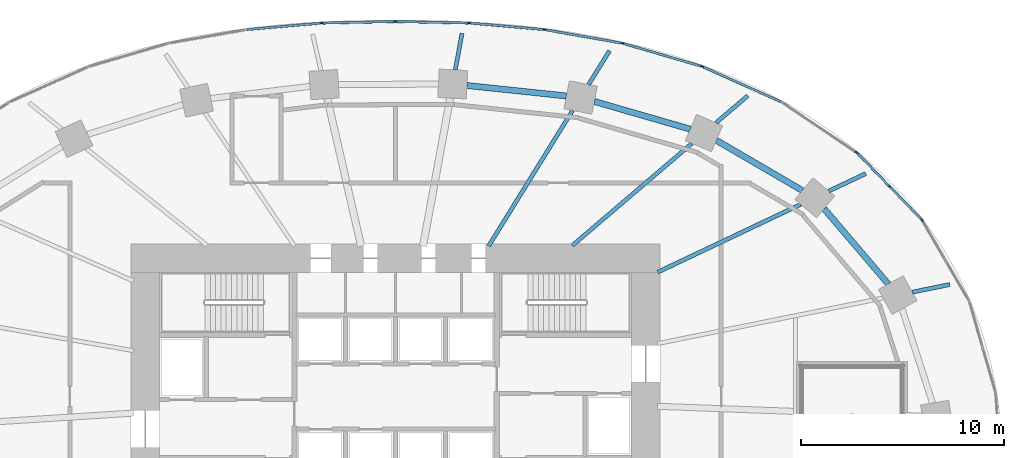
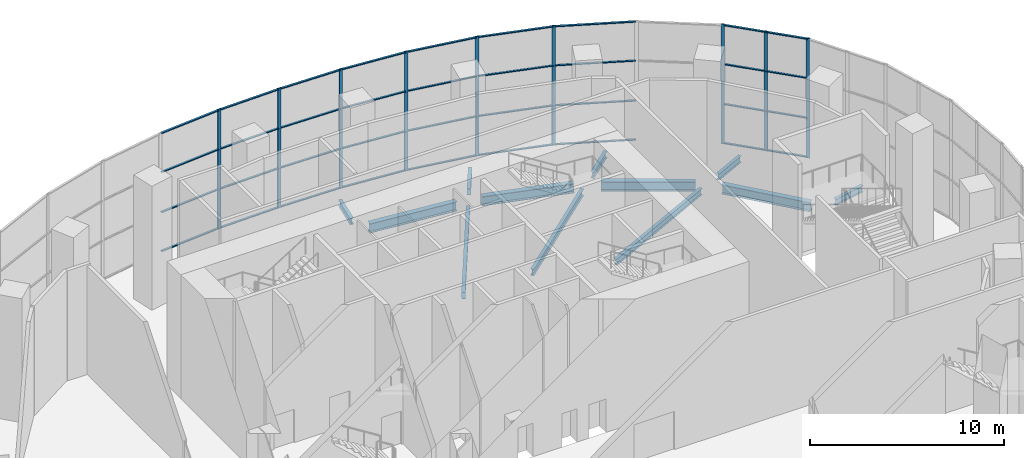
# One storey, part 8 of 22: 45 members, 12 beams, 9 elements without a shape of their own.
"""IFC4 building model written with IfcOpenShell, lengths in metres."""

from ifc_helpers import new_model, si_unit, direction, frame, origin, origin_2d, place, context, subcontext, project, spatial, rectangle, i_section, extrude, material, material_profile, profile_set, type_object, element, aggregate, save


model = new_model("IFC4")

# Units and contexts
model_context = context("Model", 3, precision=1e-05, world=origin(), true_north=direction((0.0, 1.0)))
body_context = subcontext(model_context, "Body", "Model", "MODEL_VIEW")
ifc_project = project(units=[si_unit("LENGTHUNIT", "METRE"), si_unit("AREAUNIT", "SQUARE_METRE"), si_unit("VOLUMEUNIT", "CUBIC_METRE"), si_unit("PLANEANGLEUNIT", "RADIAN"), si_unit("MASSUNIT", "GRAM", prefix="KILO")], contexts=[model_context])

# Site, building, storey
site_placement = place(None, origin())
site = spatial("IfcSite", under=ifc_project, at=site_placement, CompositionType="ELEMENT")
building_placement = place(site_placement, origin())
building = spatial("IfcBuilding", under=site, at=building_placement, Name="Rubra Terraces Tower", CompositionType="ELEMENT")
storey_placement = place(building_placement, frame((0.0, 0.0, 15.0)))
storey = spatial("IfcBuildingStorey", under=building, at=storey_placement, Name="L02", CompositionType="ELEMENT", Elevation=15.0)

# Beams
ifc_material_1 = material(Name="Steel Q355B", Category="steel")
ifc_material_profile_1 = material_profile(ifc_material_1, i_section(OverallWidth=0.199951171875, OverallDepth=0.39990234375, WebThickness=0.008056640625, FlangeThickness=0.012939453125, at=origin_2d()), Name="HN 400x200x8x13")
ifc_profile_set_1 = profile_set([ifc_material_profile_1], Name="Steel Q355B")
beam_type_1 = type_object("IfcBeamType", Name="CANTILEVER BEAM HN 400x200x8x13", PredefinedType="BEAM", material=ifc_profile_set_1)
beam_1_placement = place(storey_placement, frame((25.39599609375, 9.6279296875, -0.449951171875), z_axis=(0.980183746275, 0.198090442822, 0.0), x_axis=(-0.198090442822, 0.980183746275, 0.0)))
element("IfcBeam", 1, at=beam_1_placement, inside=storey, type_object=beam_type_1, Name="beam-L02-cant-02", PredefinedType="BEAM", context=body_context, shape_type="SweptSolid", body=[
    extrude(i_section(OverallWidth=0.199951171875, OverallDepth=0.39990234375, WebThickness=0.008056640625, FlangeThickness=0.012939453125, at=origin_2d()), origin(), (0.0, 0.0, 1.0), 1.878173828125),
])
beam_2_placement = place(storey_placement, frame((21.2958984375, 14.595947265625, -0.449951171875), z_axis=(0.903591368952, 0.428395422426, 0.0), x_axis=(-0.428395422426, 0.903591368952, 0.0)))
element("IfcBeam", 2, at=beam_2_placement, inside=storey, type_object=beam_type_1, Name="beam-L02-cant-03", PredefinedType="BEAM", context=body_context, shape_type="SweptSolid", body=[
    extrude(i_section(OverallWidth=0.199951171875, OverallDepth=0.39990234375, WebThickness=0.008056640625, FlangeThickness=0.012939453125, at=origin_2d()), origin(), (0.0, 0.0, 1.0), 2.003173828125),
])
beam_3_placement = place(storey_placement, frame((15.7509765625, 17.947998046875, -0.449951171875), z_axis=(0.760464221836, 0.649379832847, 0.0), x_axis=(-0.649379832847, 0.760464221836, 0.0)))
element("IfcBeam", 3, at=beam_3_placement, inside=storey, type_object=beam_type_1, Name="beam-L02-cant-04", PredefinedType="BEAM", context=body_context, shape_type="SweptSolid", body=[
    extrude(i_section(OverallWidth=0.199951171875, OverallDepth=0.39990234375, WebThickness=0.008056640625, FlangeThickness=0.012939453125, at=origin_2d()), origin(), (0.0, 0.0, 1.0), 2.052734375),
])
beam_4_placement = place(storey_placement, frame((9.488037109375, 19.827880859375, -0.449951171875), z_axis=(0.526264261804, 0.850321072741, 0.0), x_axis=(-0.850321072741, 0.526264261804, 0.0)))
element("IfcBeam", 4, at=beam_4_placement, inside=storey, type_object=beam_type_1, Name="beam-L02-cant-05", PredefinedType="BEAM", context=body_context, shape_type="SweptSolid", body=[
    extrude(i_section(OverallWidth=0.199951171875, OverallDepth=0.39990234375, WebThickness=0.008056640625, FlangeThickness=0.012939453125, at=origin_2d()), origin(), (0.0, 0.0, 1.0), 1.95361328125),
])
beam_5_placement = place(storey_placement, frame((2.93798828125, 20.549072265625, -0.449951171875), z_axis=(0.180016854408, 0.983663525871, 0.0), x_axis=(-0.983663525871, 0.180016854408, 0.0)))
element("IfcBeam", 5, at=beam_5_placement, inside=storey, type_object=beam_type_1, Name="beam-L02-cant-06", PredefinedType="BEAM", context=body_context, shape_type="SweptSolid", body=[
    extrude(i_section(OverallWidth=0.199951171875, OverallDepth=0.39990234375, WebThickness=0.008056640625, FlangeThickness=0.012939453125, at=origin_2d()), origin(), (0.0, 0.0, 1.0), 1.82275390625),
])
ifc_material_profile_2 = material_profile(ifc_material_1, i_section(OverallWidth=0.199951171875, OverallDepth=0.39990234375, WebThickness=0.008056640625, FlangeThickness=0.012939453125, at=origin_2d()), Name="HN 400x200x8x13")
ifc_profile_set_2 = profile_set([ifc_material_profile_2], Name="Steel Q355B")
beam_type_2 = type_object("IfcBeamType", Name="FLOOR BEAM HN 400x200x8x13", PredefinedType="BEAM", material=ifc_profile_set_2)
beam_6_placement = place(storey_placement, frame((19.904052734375, 13.93603515625, -0.449951171875), z_axis=(-0.903612237836, -0.428351402045, 0.0), x_axis=(0.428351402045, -0.903612237836, 0.0)))
element("IfcBeam", 6, at=beam_6_placement, inside=storey, type_object=beam_type_2, Name="beam-L02-floor-03", PredefinedType="BEAM", context=body_context, shape_type="SweptSolid", body=[
    extrude(i_section(OverallWidth=0.199951171875, OverallDepth=0.39990234375, WebThickness=0.008056640625, FlangeThickness=0.012939453125, at=origin_2d()), origin(), (0.0, 0.0, 1.0), 7.760009765625),
])
beam_7_placement = place(storey_placement, frame((14.56298828125, 16.93408203125, -0.449951171875), z_axis=(-0.760494401061, -0.649344489431, 0.0), x_axis=(0.649344489431, -0.760494401061, 0.0)))
element("IfcBeam", 7, at=beam_7_placement, inside=storey, type_object=beam_type_2, Name="beam-L02-floor-04", PredefinedType="BEAM", context=body_context, shape_type="SweptSolid", body=[
    extrude(i_section(OverallWidth=0.199951171875, OverallDepth=0.39990234375, WebThickness=0.008056640625, FlangeThickness=0.012939453125, at=origin_2d()), origin(), (0.0, 0.0, 1.0), 7.718505859375),
])
beam_8_placement = place(storey_placement, frame((8.699951171875, 18.555908203125, -0.449951171875), z_axis=(-0.526285914839, -0.850307671283, 0.0), x_axis=(0.850307671283, -0.526285914839, 0.0)))
element("IfcBeam", 8, at=beam_8_placement, inside=storey, type_object=beam_type_2, Name="beam-L02-floor-05", PredefinedType="BEAM", context=body_context, shape_type="SweptSolid", body=[
    extrude(i_section(OverallWidth=0.199951171875, OverallDepth=0.39990234375, WebThickness=0.008056640625, FlangeThickness=0.012939453125, at=origin_2d()), origin(), (0.0, 0.0, 1.0), 7.830078125),
])

# Curtain wall, members
ifc_material_2 = material(Name="Aluminium and glass", Category="aluminium")
curtain_wall_type = type_object("IfcCurtainWallType", Name="Curtain wall Podium glazing", PredefinedType="NOTDEFINED", material=ifc_material_2)
curtain_wall_1_placement = place(storey_placement, origin())
curtain_wall_1 = element("IfcCurtainWall", 9, at=curtain_wall_1_placement, inside=storey, type_object=curtain_wall_type, Name="L02 glazing bay 4", PredefinedType="NOTDEFINED")
ifc_material_3 = material(Name="Aluminium, anodised dark grey", Category="aluminium")
ifc_material_profile_3 = material_profile(ifc_material_3, rectangle(XDim=0.06005859375, YDim=0.199951171875, at=origin_2d()), Name="AL 60x200")
ifc_profile_set_3 = profile_set([ifc_material_profile_3], Name="Aluminium, anodised dark grey")
member_type_1 = type_object("IfcMemberType", Name="Podium glazing mullion 60 x 200", PredefinedType="MULLION", material=ifc_profile_set_3)
member_1_placement = place(storey_placement, frame((25.855224609375, 13.181396484375, 0.0), z_axis=(0.0, 0.0, 1.0), x_axis=(-0.71982488517, -0.69415569917, 0.0)))
member_1 = element("IfcMember", 10, at=member_1_placement, type_object=member_type_1, Name="CW1 mullion 1", PredefinedType="MULLION", context=body_context, shape_type="SweptSolid", body=[
    extrude(rectangle(XDim=0.06005859375, YDim=0.199951171875, at=origin_2d()), origin(), (0.0, 0.0, 1.0), 7.550048828125),
])
member_2_placement = place(storey_placement, frame((24.280517578125, 14.814453125, 0.0), z_axis=(0.0, 0.0, 1.0), x_axis=(-0.71982488517, -0.69415569917, 0.0)))
member_2 = element("IfcMember", 11, at=member_2_placement, type_object=member_type_1, Name="CW1 mullion 2", PredefinedType="MULLION", context=body_context, shape_type="SweptSolid", body=[
    extrude(rectangle(XDim=0.06005859375, YDim=0.199951171875, at=origin_2d()), origin(), (0.0, 0.0, 1.0), 7.550048828125),
])

# Curtain wall, member
curtain_wall_2_placement = place(storey_placement, origin())
curtain_wall_2 = element("IfcCurtainWall", 12, at=curtain_wall_2_placement, inside=storey, type_object=curtain_wall_type, Name="L02 glazing bay 5", PredefinedType="NOTDEFINED")
member_3_placement = place(storey_placement, frame((22.672119140625, 16.4755859375, 0.0), z_axis=(0.0, 0.0, 1.0), x_axis=(-0.55927727939, -0.828980654031, 0.0)))
member_3 = element("IfcMember", 13, at=member_3_placement, type_object=member_type_1, Name="CW1 mullion 1", PredefinedType="MULLION", context=body_context, shape_type="SweptSolid", body=[
    extrude(rectangle(XDim=0.06005859375, YDim=0.199951171875, at=origin_2d()), origin(), (0.0, 0.0, 1.0), 7.550048828125),
])
aggregate(curtain_wall_2, [member_3])

curtain_wall_3_placement = place(storey_placement, origin())
curtain_wall_3 = element("IfcCurtainWall", 14, at=curtain_wall_3_placement, inside=storey, type_object=curtain_wall_type, Name="L02 glazing bay 7", PredefinedType="NOTDEFINED")
member_4_placement = place(storey_placement, frame((15.05126953125, 20.721435546875, 0.0), z_axis=(0.0, 0.0, 1.0), x_axis=(-0.279399200229, -0.96017502931, 0.0)))
member_4 = element("IfcMember", 15, at=member_4_placement, type_object=member_type_1, Name="CW1 mullion 1", PredefinedType="MULLION", context=body_context, shape_type="SweptSolid", body=[
    extrude(rectangle(XDim=0.06005859375, YDim=0.199951171875, at=origin_2d()), origin(), (0.0, 0.0, 1.0), 7.550048828125),
])

curtain_wall_4_placement = place(storey_placement, origin())
curtain_wall_4 = element("IfcCurtainWall", 16, at=curtain_wall_4_placement, inside=storey, type_object=curtain_wall_type, Name="L02 glazing bay 8", PredefinedType="NOTDEFINED")
member_5_placement = place(storey_placement, frame((11.13037109375, 21.859375, 0.0), z_axis=(0.0, 0.0, 1.0), x_axis=(-0.172816985997, -0.984953952909, 0.0)))
member_5 = element("IfcMember", 17, at=member_5_placement, type_object=member_type_1, Name="CW1 mullion 1", PredefinedType="MULLION", context=body_context, shape_type="SweptSolid", body=[
    extrude(rectangle(XDim=0.06005859375, YDim=0.199951171875, at=origin_2d()), origin(), (0.0, 0.0, 1.0), 7.550048828125),
])

curtain_wall_5_placement = place(storey_placement, origin())
curtain_wall_5 = element("IfcCurtainWall", 18, at=curtain_wall_5_placement, inside=storey, type_object=curtain_wall_type, Name="L02 glazing bay 9", PredefinedType="NOTDEFINED")
member_6_placement = place(storey_placement, frame((7.306640625, 22.52783203125, 0.0), z_axis=(0.0, 0.0, 1.0), x_axis=(-0.08639804595, -0.996260697637, 0.0)))
member_6 = element("IfcMember", 19, at=member_6_placement, type_object=member_type_1, Name="CW1 mullion 1", PredefinedType="MULLION", context=body_context, shape_type="SweptSolid", body=[
    extrude(rectangle(XDim=0.06005859375, YDim=0.199951171875, at=origin_2d()), origin(), (0.0, 0.0, 1.0), 7.550048828125),
])

curtain_wall_6_placement = place(storey_placement, origin())
curtain_wall_6 = element("IfcCurtainWall", 20, at=curtain_wall_6_placement, inside=storey, type_object=curtain_wall_type, Name="L02 glazing bay 10", PredefinedType="NOTDEFINED")
member_7_placement = place(storey_placement, frame((3.598388671875, 22.84765625, 0.0), z_axis=(0.0, 0.0, 1.0), x_axis=(-0.021482644428, -0.999769221365, 0.0)))
member_7 = element("IfcMember", 21, at=member_7_placement, type_object=member_type_1, Name="CW1 mullion 1", PredefinedType="MULLION", context=body_context, shape_type="SweptSolid", body=[
    extrude(rectangle(XDim=0.06005859375, YDim=0.199951171875, at=origin_2d()), origin(), (0.0, 0.0, 1.0), 7.550048828125),
])

curtain_wall_7_placement = place(storey_placement, origin())
curtain_wall_7 = element("IfcCurtainWall", 22, at=curtain_wall_7_placement, inside=storey, type_object=curtain_wall_type, Name="L02 glazing bay 11", PredefinedType="NOTDEFINED")
member_8_placement = place(storey_placement, frame((-0.0283203125, 22.92431640625, 0.0), z_axis=(0.0, 0.0, 1.0), x_axis=(0.021482644428, -0.999769221365, 0.0)))
member_8 = element("IfcMember", 23, at=member_8_placement, type_object=member_type_1, Name="CW1 mullion 1", PredefinedType="MULLION", context=body_context, shape_type="SweptSolid", body=[
    extrude(rectangle(XDim=0.06005859375, YDim=0.199951171875, at=origin_2d()), origin(), (0.0, 0.0, 1.0), 7.550048828125),
])

curtain_wall_8_placement = place(storey_placement, origin())
curtain_wall_8 = element("IfcCurtainWall", 24, at=curtain_wall_8_placement, inside=storey, type_object=curtain_wall_type, Name="L02 glazing bay 12", PredefinedType="NOTDEFINED")
member_9_placement = place(storey_placement, frame((-3.6533203125, 22.8447265625, 0.0), z_axis=(0.0, 0.0, 1.0), x_axis=(0.08639804595, -0.996260697637, 0.0)))
member_9 = element("IfcMember", 25, at=member_9_placement, type_object=member_type_1, Name="CW1 mullion 1", PredefinedType="MULLION", context=body_context, shape_type="SweptSolid", body=[
    extrude(rectangle(XDim=0.06005859375, YDim=0.199951171875, at=origin_2d()), origin(), (0.0, 0.0, 1.0), 7.550048828125),
])

# Member
ifc_material_profile_4 = material_profile(ifc_material_3, rectangle(XDim=0.1201171875, YDim=0.06005859375, at=origin_2d()), Name="AL 120x60")
ifc_profile_set_4 = profile_set([ifc_material_profile_4], Name="Aluminium, anodised dark grey")
member_type_2 = type_object("IfcMemberType", Name="Podium glazing transom 120 x 60", PredefinedType="USERDEFINED", material=ifc_profile_set_4)
member_10_placement = place(storey_placement, frame((25.83447265625, 13.203125, 0.06005859375), z_axis=(-0.694223533913, 0.719759463266, 0.0), x_axis=(-0.719759463266, -0.694223533913, 0.0)))
member_10 = element("IfcMember", 26, at=member_10_placement, type_object=member_type_2, Name="CW1 transom 1.1", ObjectType="TRANSOM", PredefinedType="USERDEFINED", context=body_context, shape_type="SweptSolid", body=[
    extrude(rectangle(XDim=0.1201171875, YDim=0.06005859375, at=origin_2d()), origin(), (0.0, 0.0, 1.0), 2.20849609375),
])

member_11_placement = place(storey_placement, frame((25.83447265625, 13.203125, 2.5166015625), z_axis=(-0.694223533913, 0.719759463266, 0.0), x_axis=(-0.719759463266, -0.694223533913, 0.0)))
member_11 = element("IfcMember", 27, at=member_11_placement, type_object=member_type_2, Name="CW1 transom 1.2", ObjectType="TRANSOM", PredefinedType="USERDEFINED", context=body_context, shape_type="SweptSolid", body=[
    extrude(rectangle(XDim=0.1201171875, YDim=0.06005859375, at=origin_2d()), origin(), (0.0, 0.0, 1.0), 2.20849609375),
])

member_12_placement = place(storey_placement, frame((25.83447265625, 13.203125, 5.033203125), z_axis=(-0.694223533913, 0.719759463266, 0.0), x_axis=(-0.719759463266, -0.694223533913, 0.0)))
member_12 = element("IfcMember", 28, at=member_12_placement, type_object=member_type_2, Name="CW1 transom 1.3", ObjectType="TRANSOM", PredefinedType="USERDEFINED", context=body_context, shape_type="SweptSolid", body=[
    extrude(rectangle(XDim=0.1201171875, YDim=0.06005859375, at=origin_2d()), origin(), (0.0, 0.0, 1.0), 2.20849609375),
])

member_13_placement = place(storey_placement, frame((25.83447265625, 13.203125, 7.489990234375), z_axis=(-0.694223533913, 0.719759463266, 0.0), x_axis=(-0.719759463266, -0.694223533913, 0.0)))
member_13 = element("IfcMember", 29, at=member_13_placement, type_object=member_type_2, Name="CW1 transom 1.4", ObjectType="TRANSOM", PredefinedType="USERDEFINED", context=body_context, shape_type="SweptSolid", body=[
    extrude(rectangle(XDim=0.1201171875, YDim=0.06005859375, at=origin_2d()), origin(), (0.0, 0.0, 1.0), 2.20849609375),
])

member_14_placement = place(storey_placement, frame((24.259765625, 14.8359375, 0.06005859375), z_axis=(-0.694168299732, 0.719812733735, 0.0), x_axis=(-0.719812733735, -0.694168299732, 0.0)))
member_14 = element("IfcMember", 30, at=member_14_placement, type_object=member_type_2, Name="CW1 transom 2.1", ObjectType="TRANSOM", PredefinedType="USERDEFINED", context=body_context, shape_type="SweptSolid", body=[
    extrude(rectangle(XDim=0.1201171875, YDim=0.06005859375, at=origin_2d()), origin(), (0.0, 0.0, 1.0), 2.208740234375),
])

member_15_placement = place(storey_placement, frame((24.259765625, 14.8359375, 2.5166015625), z_axis=(-0.694168299732, 0.719812733735, 0.0), x_axis=(-0.719812733735, -0.694168299732, 0.0)))
member_15 = element("IfcMember", 31, at=member_15_placement, type_object=member_type_2, Name="CW1 transom 2.2", ObjectType="TRANSOM", PredefinedType="USERDEFINED", context=body_context, shape_type="SweptSolid", body=[
    extrude(rectangle(XDim=0.1201171875, YDim=0.06005859375, at=origin_2d()), origin(), (0.0, 0.0, 1.0), 2.208740234375),
])

member_16_placement = place(storey_placement, frame((24.259765625, 14.8359375, 5.033203125), z_axis=(-0.694168299732, 0.719812733735, 0.0), x_axis=(-0.719812733735, -0.694168299732, 0.0)))
member_16 = element("IfcMember", 32, at=member_16_placement, type_object=member_type_2, Name="CW1 transom 2.3", ObjectType="TRANSOM", PredefinedType="USERDEFINED", context=body_context, shape_type="SweptSolid", body=[
    extrude(rectangle(XDim=0.1201171875, YDim=0.06005859375, at=origin_2d()), origin(), (0.0, 0.0, 1.0), 2.208740234375),
])

member_17_placement = place(storey_placement, frame((24.259765625, 14.8359375, 7.489990234375), z_axis=(-0.694168299732, 0.719812733735, 0.0), x_axis=(-0.719812733735, -0.694168299732, 0.0)))
member_17 = element("IfcMember", 33, at=member_17_placement, type_object=member_type_2, Name="CW1 transom 2.4", ObjectType="TRANSOM", PredefinedType="USERDEFINED", context=body_context, shape_type="SweptSolid", body=[
    extrude(rectangle(XDim=0.1201171875, YDim=0.06005859375, at=origin_2d()), origin(), (0.0, 0.0, 1.0), 2.208740234375),
])

aggregate(curtain_wall_1, [member_1, member_2, member_10, member_11, member_12, member_13, member_14, member_15, member_16, member_17])

# Curtain wall, members
curtain_wall_9_placement = place(storey_placement, origin())
curtain_wall_9 = element("IfcCurtainWall", 34, at=curtain_wall_9_placement, inside=storey, type_object=curtain_wall_type, Name="L02 glazing bay 6", PredefinedType="NOTDEFINED")
member_18_placement = place(storey_placement, frame((18.9404296875, 18.982177734375, 0.06005859375), z_axis=(-0.912545396627, 0.408975426029, 0.0), x_axis=(-0.408975426029, -0.912545396627, 0.0)))
member_18 = element("IfcMember", 35, at=member_18_placement, type_object=member_type_2, Name="CW1 transom 1.1", ObjectType="TRANSOM", PredefinedType="USERDEFINED", context=body_context, shape_type="SweptSolid", body=[
    extrude(rectangle(XDim=0.1201171875, YDim=0.06005859375, at=origin_2d()), origin(), (0.0, 0.0, 1.0), 4.18115234375),
])
member_19_placement = place(storey_placement, frame((18.9404296875, 18.982177734375, 2.5166015625), z_axis=(-0.912545396627, 0.408975426029, 0.0), x_axis=(-0.408975426029, -0.912545396627, 0.0)))
member_19 = element("IfcMember", 36, at=member_19_placement, type_object=member_type_2, Name="CW1 transom 1.2", ObjectType="TRANSOM", PredefinedType="USERDEFINED", context=body_context, shape_type="SweptSolid", body=[
    extrude(rectangle(XDim=0.1201171875, YDim=0.06005859375, at=origin_2d()), origin(), (0.0, 0.0, 1.0), 4.18115234375),
])
member_20_placement = place(storey_placement, frame((18.9404296875, 18.982177734375, 5.033203125), z_axis=(-0.912545396627, 0.408975426029, 0.0), x_axis=(-0.408975426029, -0.912545396627, 0.0)))
member_20 = element("IfcMember", 37, at=member_20_placement, type_object=member_type_2, Name="CW1 transom 1.3", ObjectType="TRANSOM", PredefinedType="USERDEFINED", context=body_context, shape_type="SweptSolid", body=[
    extrude(rectangle(XDim=0.1201171875, YDim=0.06005859375, at=origin_2d()), origin(), (0.0, 0.0, 1.0), 4.18115234375),
])
member_21_placement = place(storey_placement, frame((18.9404296875, 18.982177734375, 7.489990234375), z_axis=(-0.912545396627, 0.408975426029, 0.0), x_axis=(-0.408975426029, -0.912545396627, 0.0)))
member_21 = element("IfcMember", 38, at=member_21_placement, type_object=member_type_2, Name="CW1 transom 1.4", ObjectType="TRANSOM", PredefinedType="USERDEFINED", context=body_context, shape_type="SweptSolid", body=[
    extrude(rectangle(XDim=0.1201171875, YDim=0.06005859375, at=origin_2d()), origin(), (0.0, 0.0, 1.0), 4.18115234375),
])
aggregate(curtain_wall_9, [member_18, member_19, member_20, member_21])

# Member
member_22_placement = place(storey_placement, frame((15.0224609375, 20.729736328125, 0.06005859375), z_axis=(-0.960164409194, 0.279435694422, 0.0), x_axis=(-0.279435694422, -0.960164409194, 0.0)))
member_22 = element("IfcMember", 39, at=member_22_placement, type_object=member_type_2, Name="CW1 transom 1.1", ObjectType="TRANSOM", PredefinedType="USERDEFINED", context=body_context, shape_type="SweptSolid", body=[
    extrude(rectangle(XDim=0.1201171875, YDim=0.06005859375, at=origin_2d()), origin(), (0.0, 0.0, 1.0), 3.970947265625),
])

member_23_placement = place(storey_placement, frame((15.0224609375, 20.729736328125, 2.5166015625), z_axis=(-0.960164409194, 0.279435694422, 0.0), x_axis=(-0.279435694422, -0.960164409194, 0.0)))
member_23 = element("IfcMember", 40, at=member_23_placement, type_object=member_type_2, Name="CW1 transom 1.2", ObjectType="TRANSOM", PredefinedType="USERDEFINED", context=body_context, shape_type="SweptSolid", body=[
    extrude(rectangle(XDim=0.1201171875, YDim=0.06005859375, at=origin_2d()), origin(), (0.0, 0.0, 1.0), 3.970947265625),
])

member_24_placement = place(storey_placement, frame((15.0224609375, 20.729736328125, 5.033203125), z_axis=(-0.960164409194, 0.279435694422, 0.0), x_axis=(-0.279435694422, -0.960164409194, 0.0)))
member_24 = element("IfcMember", 41, at=member_24_placement, type_object=member_type_2, Name="CW1 transom 1.3", ObjectType="TRANSOM", PredefinedType="USERDEFINED", context=body_context, shape_type="SweptSolid", body=[
    extrude(rectangle(XDim=0.1201171875, YDim=0.06005859375, at=origin_2d()), origin(), (0.0, 0.0, 1.0), 3.970947265625),
])

member_25_placement = place(storey_placement, frame((15.0224609375, 20.729736328125, 7.489990234375), z_axis=(-0.960164409194, 0.279435694422, 0.0), x_axis=(-0.279435694422, -0.960164409194, 0.0)))
member_25 = element("IfcMember", 42, at=member_25_placement, type_object=member_type_2, Name="CW1 transom 1.4", ObjectType="TRANSOM", PredefinedType="USERDEFINED", context=body_context, shape_type="SweptSolid", body=[
    extrude(rectangle(XDim=0.1201171875, YDim=0.06005859375, at=origin_2d()), origin(), (0.0, 0.0, 1.0), 3.970947265625),
])

aggregate(curtain_wall_3, [member_4, member_22, member_23, member_24, member_25])

member_26_placement = place(storey_placement, frame((11.100830078125, 21.864501953125, 0.06005859375), z_axis=(-0.984959152546, 0.172787348539, 0.0), x_axis=(-0.172787348539, -0.984959152546, 0.0)))
member_26 = element("IfcMember", 43, at=member_26_placement, type_object=member_type_2, Name="CW1 transom 1.1", ObjectType="TRANSOM", PredefinedType="USERDEFINED", context=body_context, shape_type="SweptSolid", body=[
    extrude(rectangle(XDim=0.1201171875, YDim=0.06005859375, at=origin_2d()), origin(), (0.0, 0.0, 1.0), 3.768310546875),
])

member_27_placement = place(storey_placement, frame((11.100830078125, 21.864501953125, 2.5166015625), z_axis=(-0.984959152546, 0.172787348539, 0.0), x_axis=(-0.172787348539, -0.984959152546, 0.0)))
member_27 = element("IfcMember", 44, at=member_27_placement, type_object=member_type_2, Name="CW1 transom 1.2", ObjectType="TRANSOM", PredefinedType="USERDEFINED", context=body_context, shape_type="SweptSolid", body=[
    extrude(rectangle(XDim=0.1201171875, YDim=0.06005859375, at=origin_2d()), origin(), (0.0, 0.0, 1.0), 3.768310546875),
])

member_28_placement = place(storey_placement, frame((11.100830078125, 21.864501953125, 5.033203125), z_axis=(-0.984959152546, 0.172787348539, 0.0), x_axis=(-0.172787348539, -0.984959152546, 0.0)))
member_28 = element("IfcMember", 45, at=member_28_placement, type_object=member_type_2, Name="CW1 transom 1.3", ObjectType="TRANSOM", PredefinedType="USERDEFINED", context=body_context, shape_type="SweptSolid", body=[
    extrude(rectangle(XDim=0.1201171875, YDim=0.06005859375, at=origin_2d()), origin(), (0.0, 0.0, 1.0), 3.768310546875),
])

member_29_placement = place(storey_placement, frame((11.100830078125, 21.864501953125, 7.489990234375), z_axis=(-0.984959152546, 0.172787348539, 0.0), x_axis=(-0.172787348539, -0.984959152546, 0.0)))
member_29 = element("IfcMember", 46, at=member_29_placement, type_object=member_type_2, Name="CW1 transom 1.4", ObjectType="TRANSOM", PredefinedType="USERDEFINED", context=body_context, shape_type="SweptSolid", body=[
    extrude(rectangle(XDim=0.1201171875, YDim=0.06005859375, at=origin_2d()), origin(), (0.0, 0.0, 1.0), 3.768310546875),
])

aggregate(curtain_wall_4, [member_5, member_26, member_27, member_28, member_29])

member_30_placement = place(storey_placement, frame((7.276611328125, 22.530517578125, 0.06005859375), z_axis=(-0.996262906738, 0.086372568895, 0.0), x_axis=(-0.086372568895, -0.996262906738, 0.0)))
member_30 = element("IfcMember", 47, at=member_30_placement, type_object=member_type_2, Name="CW1 transom 1.1", ObjectType="TRANSOM", PredefinedType="USERDEFINED", context=body_context, shape_type="SweptSolid", body=[
    extrude(rectangle(XDim=0.1201171875, YDim=0.06005859375, at=origin_2d()), origin(), (0.0, 0.0, 1.0), 3.606689453125),
])

member_31_placement = place(storey_placement, frame((7.276611328125, 22.530517578125, 2.5166015625), z_axis=(-0.996262906738, 0.086372568895, 0.0), x_axis=(-0.086372568895, -0.996262906738, 0.0)))
member_31 = element("IfcMember", 48, at=member_31_placement, type_object=member_type_2, Name="CW1 transom 1.2", ObjectType="TRANSOM", PredefinedType="USERDEFINED", context=body_context, shape_type="SweptSolid", body=[
    extrude(rectangle(XDim=0.1201171875, YDim=0.06005859375, at=origin_2d()), origin(), (0.0, 0.0, 1.0), 3.606689453125),
])

member_32_placement = place(storey_placement, frame((7.276611328125, 22.530517578125, 5.033203125), z_axis=(-0.996262906738, 0.086372568895, 0.0), x_axis=(-0.086372568895, -0.996262906738, 0.0)))
member_32 = element("IfcMember", 49, at=member_32_placement, type_object=member_type_2, Name="CW1 transom 1.3", ObjectType="TRANSOM", PredefinedType="USERDEFINED", context=body_context, shape_type="SweptSolid", body=[
    extrude(rectangle(XDim=0.1201171875, YDim=0.06005859375, at=origin_2d()), origin(), (0.0, 0.0, 1.0), 3.606689453125),
])

member_33_placement = place(storey_placement, frame((7.276611328125, 22.530517578125, 7.489990234375), z_axis=(-0.996262906738, 0.086372568895, 0.0), x_axis=(-0.086372568895, -0.996262906738, 0.0)))
member_33 = element("IfcMember", 50, at=member_33_placement, type_object=member_type_2, Name="CW1 transom 1.4", ObjectType="TRANSOM", PredefinedType="USERDEFINED", context=body_context, shape_type="SweptSolid", body=[
    extrude(rectangle(XDim=0.1201171875, YDim=0.06005859375, at=origin_2d()), origin(), (0.0, 0.0, 1.0), 3.606689453125),
])

aggregate(curtain_wall_5, [member_6, member_30, member_31, member_32, member_33])

member_34_placement = place(storey_placement, frame((3.568359375, 22.848388671875, 0.06005859375), z_axis=(-0.99976911273, 0.021487699509, 0.0), x_axis=(-0.021487699509, -0.99976911273, 0.0)))
member_34 = element("IfcMember", 51, at=member_34_placement, type_object=member_type_2, Name="CW1 transom 1.1", ObjectType="TRANSOM", PredefinedType="USERDEFINED", context=body_context, shape_type="SweptSolid", body=[
    extrude(rectangle(XDim=0.1201171875, YDim=0.06005859375, at=origin_2d()), origin(), (0.0, 0.0, 1.0), 3.5107421875),
])

member_35_placement = place(storey_placement, frame((3.568359375, 22.848388671875, 2.5166015625), z_axis=(-0.99976911273, 0.021487699509, 0.0), x_axis=(-0.021487699509, -0.99976911273, 0.0)))
member_35 = element("IfcMember", 52, at=member_35_placement, type_object=member_type_2, Name="CW1 transom 1.2", ObjectType="TRANSOM", PredefinedType="USERDEFINED", context=body_context, shape_type="SweptSolid", body=[
    extrude(rectangle(XDim=0.1201171875, YDim=0.06005859375, at=origin_2d()), origin(), (0.0, 0.0, 1.0), 3.5107421875),
])

member_36_placement = place(storey_placement, frame((3.568359375, 22.848388671875, 5.033203125), z_axis=(-0.99976911273, 0.021487699509, 0.0), x_axis=(-0.021487699509, -0.99976911273, 0.0)))
member_36 = element("IfcMember", 53, at=member_36_placement, type_object=member_type_2, Name="CW1 transom 1.3", ObjectType="TRANSOM", PredefinedType="USERDEFINED", context=body_context, shape_type="SweptSolid", body=[
    extrude(rectangle(XDim=0.1201171875, YDim=0.06005859375, at=origin_2d()), origin(), (0.0, 0.0, 1.0), 3.5107421875),
])

member_37_placement = place(storey_placement, frame((3.568359375, 22.848388671875, 7.489990234375), z_axis=(-0.99976911273, 0.021487699509, 0.0), x_axis=(-0.021487699509, -0.99976911273, 0.0)))
member_37 = element("IfcMember", 54, at=member_37_placement, type_object=member_type_2, Name="CW1 transom 1.4", ObjectType="TRANSOM", PredefinedType="USERDEFINED", context=body_context, shape_type="SweptSolid", body=[
    extrude(rectangle(XDim=0.1201171875, YDim=0.06005859375, at=origin_2d()), origin(), (0.0, 0.0, 1.0), 3.5107421875),
])

aggregate(curtain_wall_6, [member_7, member_34, member_35, member_36, member_37])

member_38_placement = place(storey_placement, frame((-0.058349609375, 22.923828125, 0.06005859375), z_axis=(-0.99976911273, -0.021487699509, 0.0), x_axis=(0.021487699509, -0.99976911273, 0.0)))
member_38 = element("IfcMember", 55, at=member_38_placement, type_object=member_type_2, Name="CW1 transom 1.1", ObjectType="TRANSOM", PredefinedType="USERDEFINED", context=body_context, shape_type="SweptSolid", body=[
    extrude(rectangle(XDim=0.1201171875, YDim=0.06005859375, at=origin_2d()), origin(), (0.0, 0.0, 1.0), 3.5107421875),
])

member_39_placement = place(storey_placement, frame((-0.058349609375, 22.923828125, 2.5166015625), z_axis=(-0.99976911273, -0.021487699509, 0.0), x_axis=(0.021487699509, -0.99976911273, 0.0)))
member_39 = element("IfcMember", 56, at=member_39_placement, type_object=member_type_2, Name="CW1 transom 1.2", ObjectType="TRANSOM", PredefinedType="USERDEFINED", context=body_context, shape_type="SweptSolid", body=[
    extrude(rectangle(XDim=0.1201171875, YDim=0.06005859375, at=origin_2d()), origin(), (0.0, 0.0, 1.0), 3.5107421875),
])

member_40_placement = place(storey_placement, frame((-0.058349609375, 22.923828125, 5.033203125), z_axis=(-0.99976911273, -0.021487699509, 0.0), x_axis=(0.021487699509, -0.99976911273, 0.0)))
member_40 = element("IfcMember", 57, at=member_40_placement, type_object=member_type_2, Name="CW1 transom 1.3", ObjectType="TRANSOM", PredefinedType="USERDEFINED", context=body_context, shape_type="SweptSolid", body=[
    extrude(rectangle(XDim=0.1201171875, YDim=0.06005859375, at=origin_2d()), origin(), (0.0, 0.0, 1.0), 3.5107421875),
])

member_41_placement = place(storey_placement, frame((-0.058349609375, 22.923828125, 7.489990234375), z_axis=(-0.99976911273, -0.021487699509, 0.0), x_axis=(0.021487699509, -0.99976911273, 0.0)))
member_41 = element("IfcMember", 58, at=member_41_placement, type_object=member_type_2, Name="CW1 transom 1.4", ObjectType="TRANSOM", PredefinedType="USERDEFINED", context=body_context, shape_type="SweptSolid", body=[
    extrude(rectangle(XDim=0.1201171875, YDim=0.06005859375, at=origin_2d()), origin(), (0.0, 0.0, 1.0), 3.5107421875),
])

aggregate(curtain_wall_7, [member_8, member_38, member_39, member_40, member_41])

member_42_placement = place(storey_placement, frame((-3.683349609375, 22.842041015625, 0.06005859375), z_axis=(-0.996262906738, -0.086372568895, 0.0), x_axis=(0.086372568895, -0.996262906738, 0.0)))
member_42 = element("IfcMember", 59, at=member_42_placement, type_object=member_type_2, Name="CW1 transom 1.1", ObjectType="TRANSOM", PredefinedType="USERDEFINED", context=body_context, shape_type="SweptSolid", body=[
    extrude(rectangle(XDim=0.1201171875, YDim=0.06005859375, at=origin_2d()), origin(), (0.0, 0.0, 1.0), 3.606689453125),
])

member_43_placement = place(storey_placement, frame((-3.683349609375, 22.842041015625, 2.5166015625), z_axis=(-0.996262906738, -0.086372568895, 0.0), x_axis=(0.086372568895, -0.996262906738, 0.0)))
member_43 = element("IfcMember", 60, at=member_43_placement, type_object=member_type_2, Name="CW1 transom 1.2", ObjectType="TRANSOM", PredefinedType="USERDEFINED", context=body_context, shape_type="SweptSolid", body=[
    extrude(rectangle(XDim=0.1201171875, YDim=0.06005859375, at=origin_2d()), origin(), (0.0, 0.0, 1.0), 3.606689453125),
])

member_44_placement = place(storey_placement, frame((-3.683349609375, 22.842041015625, 5.033203125), z_axis=(-0.996262906738, -0.086372568895, 0.0), x_axis=(0.086372568895, -0.996262906738, 0.0)))
member_44 = element("IfcMember", 61, at=member_44_placement, type_object=member_type_2, Name="CW1 transom 1.3", ObjectType="TRANSOM", PredefinedType="USERDEFINED", context=body_context, shape_type="SweptSolid", body=[
    extrude(rectangle(XDim=0.1201171875, YDim=0.06005859375, at=origin_2d()), origin(), (0.0, 0.0, 1.0), 3.606689453125),
])

member_45_placement = place(storey_placement, frame((-3.683349609375, 22.842041015625, 7.489990234375), z_axis=(-0.996262906738, -0.086372568895, 0.0), x_axis=(0.086372568895, -0.996262906738, 0.0)))
member_45 = element("IfcMember", 62, at=member_45_placement, type_object=member_type_2, Name="CW1 transom 1.4", ObjectType="TRANSOM", PredefinedType="USERDEFINED", context=body_context, shape_type="SweptSolid", body=[
    extrude(rectangle(XDim=0.1201171875, YDim=0.06005859375, at=origin_2d()), origin(), (0.0, 0.0, 1.0), 3.606689453125),
])

aggregate(curtain_wall_8, [member_9, member_42, member_43, member_44, member_45])

# Beams
ifc_material_profile_5 = material_profile(ifc_material_1, i_section(OverallWidth=0.300048828125, OverallDepth=0.587890625, WebThickness=0.011962890625, FlangeThickness=0.02001953125, at=origin_2d()), Name="HM 588x300x12x20")
ifc_profile_set_5 = profile_set([ifc_material_profile_5], Name="Steel Q355B")
beam_type_3 = type_object("IfcBeamType", Name="SPANDREL BEAM HM 588x300x12x20", PredefinedType="SPANDREL", material=ifc_profile_set_5)
beam_9_placement = place(storey_placement, frame((24.212890625, 10.02587890625, -0.5439453125), z_axis=(-0.648447050824, 0.761259760054, 0.0), x_axis=(-0.761259760054, -0.648447050824, 0.0)))
element("IfcBeam", 63, at=beam_9_placement, inside=storey, type_object=beam_type_3, Name="beam-L02-spandrel-02", PredefinedType="SPANDREL", context=body_context, shape_type="SweptSolid", body=[
    extrude(i_section(OverallWidth=0.300048828125, OverallDepth=0.587890625, WebThickness=0.011962890625, FlangeThickness=0.02001953125, at=origin_2d()), origin(), (0.0, 0.0, 1.0), 4.860595703125),
])
beam_10_placement = place(storey_placement, frame((19.987060546875, 14.6240234375, -0.5439453125), z_axis=(-0.863806081452, 0.503824427402, 0.0), x_axis=(-0.503824427402, -0.863806081452, 0.0)))
element("IfcBeam", 64, at=beam_10_placement, inside=storey, type_object=beam_type_3, Name="beam-L02-spandrel-03", PredefinedType="SPANDREL", context=body_context, shape_type="SweptSolid", body=[
    extrude(i_section(OverallWidth=0.300048828125, OverallDepth=0.587890625, WebThickness=0.011962890625, FlangeThickness=0.02001953125, at=origin_2d()), origin(), (0.0, 0.0, 1.0), 4.886474609375),
])
beam_11_placement = place(storey_placement, frame((14.47900390625, 17.636962890625, -0.5439453125), z_axis=(-0.960743980202, 0.277436487337, 0.0), x_axis=(-0.277436487337, -0.960743980202, 0.0)))
element("IfcBeam", 65, at=beam_11_placement, inside=storey, type_object=beam_type_3, Name="beam-L02-spandrel-04", PredefinedType="SPANDREL", context=body_context, shape_type="SweptSolid", body=[
    extrude(i_section(OverallWidth=0.300048828125, OverallDepth=0.587890625, WebThickness=0.011962890625, FlangeThickness=0.02001953125, at=origin_2d()), origin(), (0.0, 0.0, 1.0), 4.90234375),
])
beam_12_placement = place(storey_placement, frame((8.39501953125, 19.26611328125, -0.5439453125), z_axis=(-0.994495375694, 0.104780473964, 0.0), x_axis=(-0.104780473964, -0.994495375694, 0.0)))
element("IfcBeam", 66, at=beam_12_placement, inside=storey, type_object=beam_type_3, Name="beam-L02-spandrel-05", PredefinedType="SPANDREL", context=body_context, shape_type="SweptSolid", body=[
    extrude(i_section(OverallWidth=0.300048828125, OverallDepth=0.587890625, WebThickness=0.011962890625, FlangeThickness=0.02001953125, at=origin_2d()), origin(), (0.0, 0.0, 1.0), 4.9140625),
])

save(model, "model.ifc")
